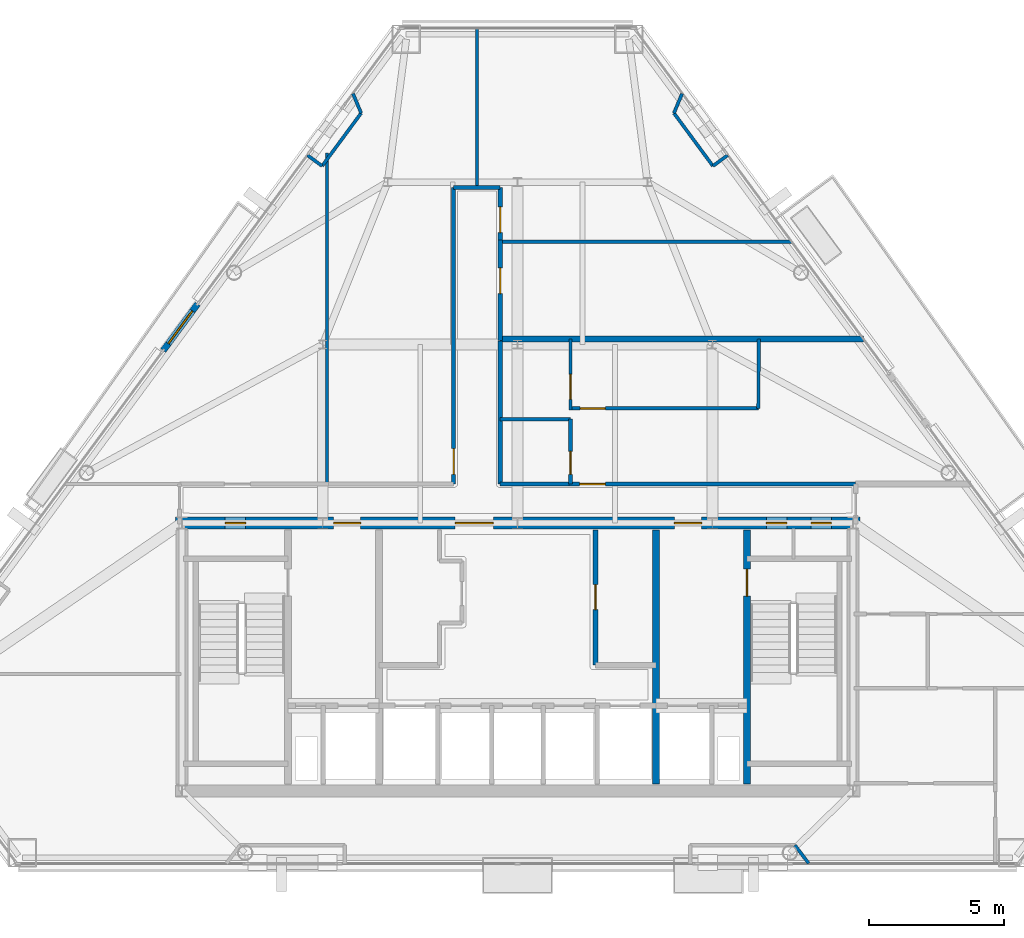
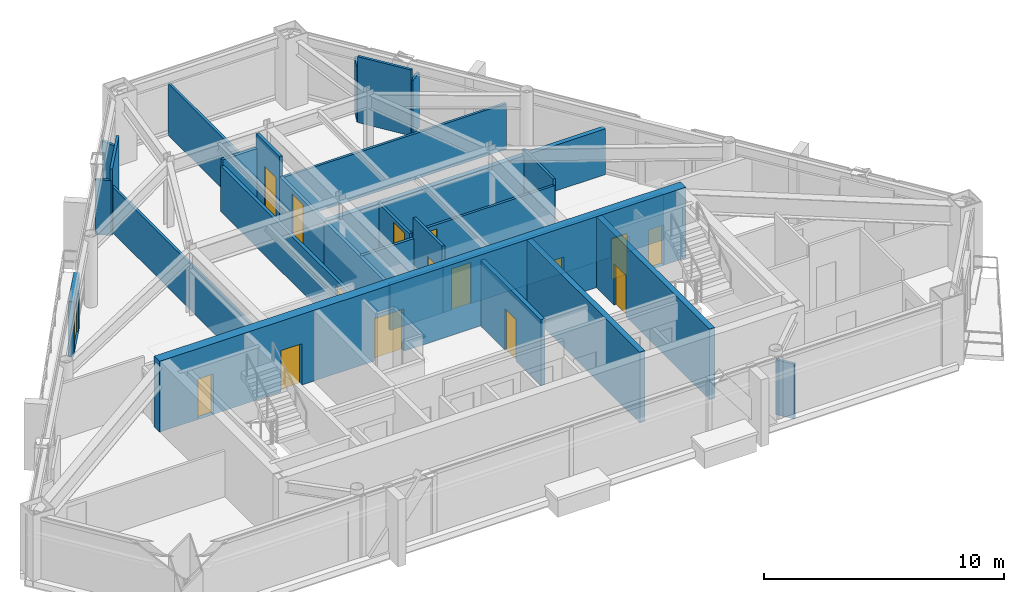
# One storey, part 8 of 11: 28 walls, 16 doors, 16 openings.
"""IFC4 building model written with IfcOpenShell, lengths in metres."""

from ifc_helpers import new_model, si_unit, direction, frame, frame_2d, origin, place, context, subcontext, project, spatial, rectangle, extrude, material, layer, layer_set, type_object, element, fill, save


model = new_model("IFC4")

# Units and contexts
model_context = context("Model", 3, precision=1e-05, world=origin(), true_north=direction((0.0, 1.0)))
body_context = subcontext(model_context, "Body", "Model", "MODEL_VIEW")
ifc_project = project(units=[si_unit("LENGTHUNIT", "METRE"), si_unit("AREAUNIT", "SQUARE_METRE"), si_unit("VOLUMEUNIT", "CUBIC_METRE"), si_unit("PLANEANGLEUNIT", "RADIAN"), si_unit("MASSUNIT", "GRAM", prefix="KILO")], contexts=[model_context])

# Site, building, storey
site_placement = place(None, origin())
site = spatial("IfcSite", under=ifc_project, at=site_placement, CompositionType="ELEMENT")
building_placement = place(site_placement, origin())
building = spatial("IfcBuilding", under=site, at=building_placement, Name="Talgorran Terracotta Tower", CompositionType="ELEMENT")
storey_placement = place(building_placement, frame((0.0, 0.0, 178.5)))
storey = spatial("IfcBuildingStorey", under=building, at=storey_placement, Name="L46", CompositionType="ELEMENT", Elevation=178.5)

# Wall, opening, door
ifc_material_1 = material(Name="Concrete C40/50", Category="concrete")
ifc_layer_1 = layer(ifc_material_1, 0.239990234375, Name="WT_BALCONY_SPAND")
ifc_layer_set_1 = layer_set([ifc_layer_1], Name="Concrete C40/50")
wall_type_1 = type_object("IfcWallType", Name="WT_BALCONY_SPAND", PredefinedType="STANDARD", material=ifc_layer_set_1)
wall_1_placement = place(storey_placement, frame((-11.826416015625, 3.898681640625, -0.014892578125), z_axis=(0.0, 0.0, 1.0), x_axis=(-0.593537527179, -0.804806314482, 0.0)))
wall_1 = element("IfcWall", 1, at=wall_1_placement, inside=storey, type_object=wall_type_1, Name="WL-L46-BALP-BAL-NW", PredefinedType="STANDARD", context=body_context, shape_type="SweptSolid", body=[
    extrude(rectangle(XDim=2.14013671875, YDim=0.239990234375, at=frame_2d((1.070068359375, 0.0))), origin(), (0.0, 0.0, 1.0), 2.806884765625),
])
opening_1_placement = place(wall_1_placement, frame((0.320068359375, 0.0, 0.014892578125)))
opening_1 = element("IfcOpeningElement", 2, at=opening_1_placement, cuts=wall_1, Name="Opening D-BAL-L46-2", PredefinedType="OPENING", context=body_context, shape_type="SweptSolid", body=[
    extrude(rectangle(XDim=1.506, YDim=2.203951171875, at=frame_2d((0.75, 1.10205078125))), frame((0.0, 0.1298828125, 0.0), z_axis=(0.0, -1.0, 0.0), x_axis=(1.0, 0.0, 0.0)), (0.0, 0.0, 1.0), 0.260009765625),
])
ifc_material_2 = material(Name="Thermally Broken Aluminium", Category="aluminium")
door_type_1 = type_object("IfcDoorType", Name="DT_BALC_1500", OperationType="SLIDING_TO_RIGHT", PredefinedType="DOOR", material=ifc_material_2)
door_1_placement = place(opening_1_placement, origin())
door_1 = element("IfcDoor", 3, at=door_1_placement, inside=storey, type_object=door_type_1, Name="DR-L46-BAL-BAL-NW", OperationType="SLIDING_TO_RIGHT", OverallHeight=2.199951171875, OverallWidth=1.5, PredefinedType="DOOR", context=body_context, shape_type="SweptSolid", body=[
    extrude(rectangle(XDim=1.5, YDim=2.199951171875, at=frame_2d((0.75, 1.10009765625))), frame((0.0, 0.02490234375, 0.0), z_axis=(0.0, -1.0, 0.0), x_axis=(1.0, 0.0, 0.0)), (0.0, 0.0, 1.0), 0.050048828125),
])
fill(opening_1, door_1)

ifc_material_3 = material(Name="Concrete C50/60", Category="concrete")
ifc_layer_2 = layer(ifc_material_3, 0.199951171875, Name="WT_CORE_200")
ifc_layer_set_2 = layer_set([ifc_layer_2], Name="Concrete C50/60")
wall_type_2 = type_object("IfcWallType", Name="WT_CORE_200", PredefinedType="SOLIDWALL", material=ifc_layer_set_2)
wall_2_placement = place(storey_placement, frame((2.8798828125, -9.449951171875, 0.0), z_axis=(0.0, 0.0, 1.0), x_axis=(0.0, 1.0, 0.0)))
wall_2 = element("IfcWall", 4, at=wall_2_placement, inside=storey, type_object=wall_type_2, Name="WL-L46-CW-V-E3", PredefinedType="SOLIDWALL", context=body_context, shape_type="SweptSolid", body=[
    extrude(rectangle(XDim=5.0, YDim=0.199951171875, at=frame_2d((2.5, 0.0))), origin(), (0.0, 0.0, 1.0), 3.35009765625),
])
opening_2_placement = place(wall_2_placement, frame((2.050048828125, 0.0, 0.0)))
opening_2 = element("IfcOpeningElement", 5, at=opening_2_placement, cuts=wall_2, Name="Opening DR-FRPLM-A", PredefinedType="OPENING", context=body_context, shape_type="SweptSolid", body=[
    extrude(rectangle(XDim=0.925921875, YDim=2.10409765625, at=frame_2d((0.4599609375, 1.052001953125))), frame((0.0, 0.10986328125, 0.0), z_axis=(0.0, -1.0, 0.0), x_axis=(1.0, 0.0, 0.0)), (0.0, 0.0, 1.0), 0.219970703125),
])
ifc_material_4 = material(Name="Solid-Core Painted Timber", Category="wood")
door_type_2 = type_object("IfcDoorType", Name="DT_INT_920", OperationType="NOTDEFINED", PredefinedType="DOOR", material=ifc_material_4)
door_2_placement = place(opening_2_placement, origin())
door_2 = element("IfcDoor", 6, at=door_2_placement, inside=storey, type_object=door_type_2, Name="DR-FRPLM-A", OperationType="SINGLE_SWING_RIGHT", OverallHeight=2.10009765625, OverallWidth=0.919921875, PredefinedType="DOOR", context=body_context, shape_type="SweptSolid", body=[
    extrude(rectangle(XDim=0.919921875, YDim=2.10009765625, at=frame_2d((0.4599609375, 1.050048828125))), frame((0.0, 0.02490234375, 0.0), z_axis=(0.0, -1.0, 0.0), x_axis=(1.0, 0.0, 0.0)), (0.0, 0.0, 1.0), 0.050048828125),
])
fill(opening_2, door_2)

ifc_layer_3 = layer(ifc_material_3, 0.25, Name="WT_CORE_250")
ifc_layer_set_3 = layer_set([ifc_layer_3], Name="Concrete C50/60")
wall_type_3 = type_object("IfcWallType", Name="WT_CORE_250", PredefinedType="SHEAR", material=ifc_layer_set_3)
wall_3_placement = place(storey_placement, frame((8.47998046875, -13.85009765625, 0.0), z_axis=(0.0, 0.0, 1.0), x_axis=(0.0, 1.0, 0.0)))
wall_3 = element("IfcWall", 7, at=wall_3_placement, inside=storey, type_object=wall_type_3, Name="WL-L46-CW-V-E1", PredefinedType="SHEAR", context=body_context, shape_type="SweptSolid", body=[
    extrude(rectangle(XDim=9.400146484375, YDim=0.25, at=frame_2d((4.7001953125, 0.0))), origin(), (0.0, 0.0, 1.0), 3.60009765625),
])
opening_3_placement = place(wall_3_placement, frame((6.949951171875, 0.0, 0.0)))
opening_3 = element("IfcOpeningElement", 8, at=opening_3_placement, cuts=wall_3, Name="Opening DR-ST02", PredefinedType="OPENING", context=body_context, shape_type="SweptSolid", body=[
    extrude(rectangle(XDim=1.006, YDim=2.10409765625, at=frame_2d((0.5, 1.052001953125))), frame((0.0, 0.135009765625, 0.0), z_axis=(0.0, -1.0, 0.0), x_axis=(1.0, 0.0, 0.0)), (0.0, 0.0, 1.0), 0.27001953125),
])
ifc_material_5 = material(Name="Fire-Rated Pressed Steel", Category="steel")
door_type_3 = type_object("IfcDoorType", Name="DT_FIRE_1000", OperationType="NOTDEFINED", PredefinedType="DOOR", material=ifc_material_5)
door_3_placement = place(opening_3_placement, origin())
door_3 = element("IfcDoor", 9, at=door_3_placement, inside=storey, type_object=door_type_3, Name="DR-ST02", OperationType="SINGLE_SWING_RIGHT", OverallHeight=2.10009765625, OverallWidth=1.0, PredefinedType="DOOR", context=body_context, shape_type="SweptSolid", body=[
    extrude(rectangle(XDim=1.0, YDim=2.10009765625, at=frame_2d((0.5, 1.050048828125))), frame((0.0, 0.02490234375, 0.0), z_axis=(0.0, -1.0, 0.0), x_axis=(1.0, 0.0, 0.0)), (0.0, 0.0, 1.0), 0.050048828125),
])
fill(opening_3, door_3)

# Wall
wall_4_placement = place(storey_placement, frame((5.1201171875, -13.85009765625, 0.0), z_axis=(0.0, 0.0, 1.0), x_axis=(0.0, 1.0, 0.0)))
element("IfcWall", 10, at=wall_4_placement, inside=storey, type_object=wall_type_3, Name="WL-L46-CW-V-E2", PredefinedType="SHEAR", context=body_context, shape_type="SweptSolid", body=[
    extrude(rectangle(XDim=9.400146484375, YDim=0.25, at=frame_2d((4.7001953125, 0.0))), origin(), (0.0, 0.0, 1.0), 3.60009765625),
])

# Wall, openings, doors
ifc_material_6 = material(Name="Concrete C65/80", Category="concrete")
ifc_layer_4 = layer(ifc_material_6, 0.449951171875, Name="WT_CORE_EXT")
ifc_layer_set_4 = layer_set([ifc_layer_4], Name="Concrete C65/80")
wall_type_4 = type_object("IfcWallType", Name="WT_CORE_EXT", PredefinedType="SHEAR", material=ifc_layer_set_4)
wall_5_placement = place(storey_placement, frame((-12.64990234375, -4.199951171875, 0.0), z_axis=(0.0, 0.0, 1.0), x_axis=(1.0, 0.0, 0.0)))
wall_5 = element("IfcWall", 11, at=wall_5_placement, inside=storey, type_object=wall_type_4, Name="WL-L46-CW-OUT-N", PredefinedType="SHEAR", context=body_context, shape_type="SweptSolid", body=[
    extrude(rectangle(XDim=25.2998046875, YDim=0.449951171875, at=frame_2d((12.64990234375, 0.0))), origin(), (0.0, 0.0, 1.0), 3.60009765625),
])
opening_4_placement = place(wall_5_placement, frame((1.85009765625, 0.0, 0.0)))
opening_4 = element("IfcOpeningElement", 12, at=opening_4_placement, cuts=wall_5, Name="Opening DR-CSN1", PredefinedType="OPENING", context=body_context, shape_type="SweptSolid", body=[
    extrude(rectangle(XDim=0.756, YDim=2.054048828125, at=frame_2d((0.375, 1.027099609375))), frame((0.0, 0.23486328125, 0.0), z_axis=(0.0, -1.0, 0.0), x_axis=(1.0, 0.0, 0.0)), (0.0, 0.0, 1.0), 0.469970703125),
])
opening_5_placement = place(wall_5_placement, frame((21.85009765625, 0.0, 0.0)))
opening_5 = element("IfcOpeningElement", 13, at=opening_5_placement, cuts=wall_5, Name="Opening DR-CSN2", PredefinedType="OPENING", context=body_context, shape_type="SweptSolid", body=[
    extrude(rectangle(XDim=0.756, YDim=2.054048828125, at=frame_2d((0.375, 1.027099609375))), frame((0.0, 0.23486328125, 0.0), z_axis=(0.0, -1.0, 0.0), x_axis=(1.0, 0.0, 0.0)), (0.0, 0.0, 1.0), 0.469970703125),
])
opening_6_placement = place(wall_5_placement, frame((23.5, 0.0, 0.0)))
opening_6 = element("IfcOpeningElement", 14, at=opening_6_placement, cuts=wall_5, Name="Opening DR-CSN3", PredefinedType="OPENING", context=body_context, shape_type="SweptSolid", body=[
    extrude(rectangle(XDim=0.756, YDim=2.054048828125, at=frame_2d((0.375, 1.027099609375))), frame((0.0, 0.23486328125, 0.0), z_axis=(0.0, -1.0, 0.0), x_axis=(1.0, 0.0, 0.0)), (0.0, 0.0, 1.0), 0.469970703125),
])
opening_7_placement = place(wall_5_placement, frame((5.85009765625, 0.0, 0.0)))
opening_7 = element("IfcOpeningElement", 15, at=opening_7_placement, cuts=wall_5, Name="Opening DR-FFLW-N", PredefinedType="OPENING", context=body_context, shape_type="SweptSolid", body=[
    extrude(rectangle(XDim=1.006, YDim=2.10409765625, at=frame_2d((0.5, 1.052001953125))), frame((0.0, 0.23486328125, 0.0), z_axis=(0.0, -1.0, 0.0), x_axis=(1.0, 0.0, 0.0)), (0.0, 0.0, 1.0), 0.469970703125),
])
opening_8_placement = place(wall_5_placement, frame((10.35009765625, 0.0, 0.0)))
opening_8 = element("IfcOpeningElement", 16, at=opening_8_placement, cuts=wall_5, Name="Opening DR-PLL-N", PredefinedType="OPENING", context=body_context, shape_type="SweptSolid", body=[
    extrude(rectangle(XDim=1.40590234375, YDim=2.15390234375, at=frame_2d((0.699951171875, 1.076904296875))), frame((0.0, 0.23486328125, 0.0), z_axis=(0.0, -1.0, 0.0), x_axis=(1.0, 0.0, 0.0)), (0.0, 0.0, 1.0), 0.469970703125),
])
opening_9_placement = place(wall_5_placement, frame((18.449951171875, 0.0, 0.0)))
opening_9 = element("IfcOpeningElement", 17, at=opening_9_placement, cuts=wall_5, Name="Opening DR-FFLE-N", PredefinedType="OPENING", context=body_context, shape_type="SweptSolid", body=[
    extrude(rectangle(XDim=1.006, YDim=2.10409765625, at=frame_2d((0.5, 1.052001953125))), frame((0.0, 0.23486328125, 0.0), z_axis=(0.0, -1.0, 0.0), x_axis=(1.0, 0.0, 0.0)), (0.0, 0.0, 1.0), 0.469970703125),
])
ifc_material_7 = material(Name="Acoustic Glazed Timber", Category="wood")
door_type_4 = type_object("IfcDoorType", Name="DT_DOUBLE_1400", OperationType="DOUBLE_DOOR_SINGLE_SWING", PredefinedType="DOOR", material=ifc_material_7)
door_4_placement = place(opening_8_placement, origin())
door_4 = element("IfcDoor", 18, at=door_4_placement, inside=storey, type_object=door_type_4, Name="DR-PLL-N", OperationType="DOUBLE_DOOR_SINGLE_SWING", OverallHeight=2.14990234375, OverallWidth=1.39990234375, PredefinedType="DOOR", context=body_context, shape_type="SweptSolid", body=[
    extrude(rectangle(XDim=1.39990234375, YDim=2.14990234375, at=frame_2d((0.699951171875, 1.074951171875))), frame((0.0, 0.02490234375, 0.0), z_axis=(0.0, -1.0, 0.0), x_axis=(1.0, 0.0, 0.0)), (0.0, 0.0, 1.0), 0.050048828125),
])
fill(opening_8, door_4)
door_5_placement = place(opening_7_placement, origin())
door_5 = element("IfcDoor", 19, at=door_5_placement, inside=storey, type_object=door_type_3, Name="DR-FFLW-N", OperationType="SINGLE_SWING_LEFT", OverallHeight=2.10009765625, OverallWidth=1.0, PredefinedType="DOOR", context=body_context, shape_type="SweptSolid", body=[
    extrude(rectangle(XDim=1.0, YDim=2.10009765625, at=frame_2d((0.5, 1.050048828125))), frame((0.0, 0.02490234375, 0.0), z_axis=(0.0, -1.0, 0.0), x_axis=(1.0, 0.0, 0.0)), (0.0, 0.0, 1.0), 0.050048828125),
])
fill(opening_7, door_5)
door_6_placement = place(opening_9_placement, origin())
door_6 = element("IfcDoor", 20, at=door_6_placement, inside=storey, type_object=door_type_3, Name="DR-FFLE-N", OperationType="SINGLE_SWING_RIGHT", OverallHeight=2.10009765625, OverallWidth=1.0, PredefinedType="DOOR", context=body_context, shape_type="SweptSolid", body=[
    extrude(rectangle(XDim=1.0, YDim=2.10009765625, at=frame_2d((0.5, 1.050048828125))), frame((0.0, 0.02490234375, 0.0), z_axis=(0.0, -1.0, 0.0), x_axis=(1.0, 0.0, 0.0)), (0.0, 0.0, 1.0), 0.050048828125),
])
fill(opening_9, door_6)
door_type_5 = type_object("IfcDoorType", Name="DT_RISER_750", OperationType="NOTDEFINED", PredefinedType="DOOR", material=ifc_material_5)
door_7_placement = place(opening_4_placement, origin())
door_7 = element("IfcDoor", 21, at=door_7_placement, inside=storey, type_object=door_type_5, Name="DR-CSN1", OperationType="SINGLE_SWING_LEFT", OverallHeight=2.050048828125, OverallWidth=0.75, PredefinedType="DOOR", context=body_context, shape_type="SweptSolid", body=[
    extrude(rectangle(XDim=0.75, YDim=2.050048828125, at=frame_2d((0.375, 1.02490234375))), frame((0.0, 0.02490234375, 0.0), z_axis=(0.0, -1.0, 0.0), x_axis=(1.0, 0.0, 0.0)), (0.0, 0.0, 1.0), 0.050048828125),
])
fill(opening_4, door_7)
door_8_placement = place(opening_5_placement, origin())
door_8 = element("IfcDoor", 22, at=door_8_placement, inside=storey, type_object=door_type_5, Name="DR-CSN2", OperationType="SINGLE_SWING_LEFT", OverallHeight=2.050048828125, OverallWidth=0.75, PredefinedType="DOOR", context=body_context, shape_type="SweptSolid", body=[
    extrude(rectangle(XDim=0.75, YDim=2.050048828125, at=frame_2d((0.375, 1.02490234375))), frame((0.0, 0.02490234375, 0.0), z_axis=(0.0, -1.0, 0.0), x_axis=(1.0, 0.0, 0.0)), (0.0, 0.0, 1.0), 0.050048828125),
])
fill(opening_5, door_8)
door_9_placement = place(opening_6_placement, origin())
door_9 = element("IfcDoor", 23, at=door_9_placement, inside=storey, type_object=door_type_5, Name="DR-CSN3", OperationType="SINGLE_SWING_RIGHT", OverallHeight=2.050048828125, OverallWidth=0.75, PredefinedType="DOOR", context=body_context, shape_type="SweptSolid", body=[
    extrude(rectangle(XDim=0.75, YDim=2.050048828125, at=frame_2d((0.375, 1.02490234375))), frame((0.0, 0.02490234375, 0.0), z_axis=(0.0, -1.0, 0.0), x_axis=(1.0, 0.0, 0.0)), (0.0, 0.0, 1.0), 0.050048828125),
])
fill(opening_6, door_9)

# Wall, opening, door
ifc_material_8 = material(Name="Fire-Rated Steel Stud Plasterboard", Category="steel")
ifc_layer_5 = layer(ifc_material_8, 0.14990234375, Name="WT_FIRE_150")
ifc_layer_set_5 = layer_set([ifc_layer_5], Name="Fire-Rated Steel Stud Plasterboard")
wall_type_5 = type_object("IfcWallType", Name="WT_FIRE_150", PredefinedType="PARTITIONING", material=ifc_layer_set_5)
wall_6_placement = place(storey_placement, frame((-2.360107421875, -2.760009765625, 0.0), z_axis=(0.0, 0.0, 1.0), x_axis=(0.0, 1.0, 0.0)))
wall_6 = element("IfcWall", 24, at=wall_6_placement, inside=storey, type_object=wall_type_5, Name="WL-L46-W-L46-R11", PredefinedType="PARTITIONING", context=body_context, shape_type="SweptSolid", body=[
    extrude(rectangle(XDim=10.9599609375, YDim=0.14990234375, at=frame_2d((5.47998046875, 0.0))), origin(), (0.0, 0.0, 1.0), 2.324951171875),
])
opening_10_placement = place(wall_6_placement, frame((0.359375, 0.0, 0.0)))
opening_10 = element("IfcOpeningElement", 25, at=opening_10_placement, cuts=wall_6, Name="Opening DR-L46-R13", PredefinedType="OPENING", context=body_context, shape_type="SweptSolid", body=[
    extrude(rectangle(XDim=0.955951171875, YDim=2.10409765625, at=frame_2d((0.47509765625, 1.052001953125))), frame((0.0, 0.0849609375, 0.0), z_axis=(0.0, -1.0, 0.0), x_axis=(1.0, 0.0, 0.0)), (0.0, 0.0, 1.0), 0.169921875),
])
ifc_material_9 = material(Name="Fire-Rated Timber Core", Category="wood")
door_type_6 = type_object("IfcDoorType", Name="DT_FIRE_950", OperationType="NOTDEFINED", PredefinedType="DOOR", material=ifc_material_9)
door_10_placement = place(opening_10_placement, origin())
door_10 = element("IfcDoor", 26, at=door_10_placement, inside=storey, type_object=door_type_6, Name="DR-L46-R13", OperationType="SINGLE_SWING_LEFT", OverallHeight=2.10009765625, OverallWidth=0.949951171875, PredefinedType="DOOR", context=body_context, shape_type="SweptSolid", body=[
    extrude(rectangle(XDim=0.949951171875, YDim=2.10009765625, at=frame_2d((0.47509765625, 1.050048828125))), frame((0.0, 0.02490234375, 0.0), z_axis=(0.0, -1.0, 0.0), x_axis=(1.0, 0.0, 0.0)), (0.0, 0.0, 1.0), 0.050048828125),
])
fill(opening_10, door_10)

wall_7_placement = place(storey_placement, frame((1.89990234375, -2.760009765625, 0.0), z_axis=(0.0, 0.0, 1.0), x_axis=(1.0, 0.0, 0.0)))
wall_7 = element("IfcWall", 27, at=wall_7_placement, inside=storey, type_object=wall_type_5, Name="WL-L46-W-L46-R05", PredefinedType="PARTITIONING", context=body_context, shape_type="SweptSolid", body=[
    extrude(rectangle(XDim=10.60009765625, YDim=0.14990234375, at=frame_2d((5.300048828125, 0.0))), origin(), (0.0, 0.0, 1.0), 2.324951171875),
])
opening_11_placement = place(wall_7_placement, frame((0.399169921875, 0.0, 0.0)))
opening_11 = element("IfcOpeningElement", 28, at=opening_11_placement, cuts=wall_7, Name="Opening DR-L46-R08", PredefinedType="OPENING", context=body_context, shape_type="SweptSolid", body=[
    extrude(rectangle(XDim=0.955951171875, YDim=2.10409765625, at=frame_2d((0.47509765625, 1.052001953125))), frame((0.0, 0.0849609375, 0.0), z_axis=(0.0, -1.0, 0.0), x_axis=(1.0, 0.0, 0.0)), (0.0, 0.0, 1.0), 0.169921875),
])
door_11_placement = place(opening_11_placement, origin())
door_11 = element("IfcDoor", 29, at=door_11_placement, inside=storey, type_object=door_type_6, Name="DR-L46-R08", OperationType="SINGLE_SWING_RIGHT", OverallHeight=2.10009765625, OverallWidth=0.949951171875, PredefinedType="DOOR", context=body_context, shape_type="SweptSolid", body=[
    extrude(rectangle(XDim=0.949951171875, YDim=2.10009765625, at=frame_2d((0.47509765625, 1.050048828125))), frame((0.0, 0.02490234375, 0.0), z_axis=(0.0, -1.0, 0.0), x_axis=(1.0, 0.0, 0.0)), (0.0, 0.0, 1.0), 0.050048828125),
])
fill(opening_11, door_11)

wall_8_placement = place(storey_placement, frame((-0.639892578125, 2.5400390625, 0.0), z_axis=(0.0, 0.0, 1.0), x_axis=(0.0, 1.0, 0.0)))
wall_8 = element("IfcWall", 30, at=wall_8_placement, inside=storey, type_object=wall_type_5, Name="WL-L46-W-L46-R06", PredefinedType="PARTITIONING", context=body_context, shape_type="SweptSolid", body=[
    extrude(rectangle(XDim=3.719970703125, YDim=0.14990234375, at=frame_2d((1.85986328125, 0.0))), origin(), (0.0, 0.0, 1.0), 2.324951171875),
])
opening_12_placement = place(wall_8_placement, frame((1.74072265625, 0.0, 0.0)))
opening_12 = element("IfcOpeningElement", 31, at=opening_12_placement, cuts=wall_8, Name="Opening DR-L46-R10", PredefinedType="OPENING", context=body_context, shape_type="SweptSolid", body=[
    extrude(rectangle(XDim=0.955951171875, YDim=2.10409765625, at=frame_2d((0.47509765625, 1.052001953125))), frame((0.0, 0.0849609375, 0.0), z_axis=(0.0, -1.0, 0.0), x_axis=(1.0, 0.0, 0.0)), (0.0, 0.0, 1.0), 0.169921875),
])
door_12_placement = place(opening_12_placement, origin())
door_12 = element("IfcDoor", 32, at=door_12_placement, inside=storey, type_object=door_type_6, Name="DR-L46-R10", OperationType="SINGLE_SWING_RIGHT", OverallHeight=2.10009765625, OverallWidth=0.949951171875, PredefinedType="DOOR", context=body_context, shape_type="SweptSolid", body=[
    extrude(rectangle(XDim=0.949951171875, YDim=2.10009765625, at=frame_2d((0.47509765625, 1.050048828125))), frame((0.0, 0.02490234375, 0.0), z_axis=(0.0, -1.0, 0.0), x_axis=(1.0, 0.0, 0.0)), (0.0, 0.0, 1.0), 0.050048828125),
])
fill(opening_12, door_12)

# Walls
wall_9_placement = place(storey_placement, frame((-0.639892578125, -2.760009765625, 0.0), z_axis=(0.0, 0.0, 1.0), x_axis=(0.0, 1.0, 0.0)))
element("IfcWall", 33, at=wall_9_placement, inside=storey, type_object=wall_type_5, Name="WL-L46-W-L46-R04", PredefinedType="PARTITIONING", context=body_context, shape_type="SweptSolid", body=[
    extrude(rectangle(XDim=5.298095703125, YDim=0.14990234375, at=frame_2d((2.64892578125, 0.0))), origin(), (0.0, 0.0, 1.0), 2.324951171875),
])
wall_10_placement = place(storey_placement, frame((-0.639892578125, -2.760009765625, 0.0), z_axis=(0.0, 0.0, 1.0), x_axis=(1.0, 0.0, 0.0)))
element("IfcWall", 34, at=wall_10_placement, inside=storey, type_object=wall_type_5, Name="WL-L46-W-L46-R03", PredefinedType="PARTITIONING", context=body_context, shape_type="SweptSolid", body=[
    extrude(rectangle(XDim=2.537841796875, YDim=0.14990234375, at=frame_2d((1.26904296875, 0.0))), origin(), (0.0, 0.0, 1.0), 2.324951171875),
])

# Wall, opening, door
wall_11_placement = place(storey_placement, frame((-0.639892578125, 6.261962890625, 0.0), z_axis=(0.0, 0.0, 1.0), x_axis=(0.0, 1.0, 0.0)))
wall_11 = element("IfcWall", 35, at=wall_11_placement, inside=storey, type_object=wall_type_5, Name="WL-L46-W-L46-R08", PredefinedType="PARTITIONING", context=body_context, shape_type="SweptSolid", body=[
    extrude(rectangle(XDim=1.93798828125, YDim=0.14990234375, at=frame_2d((0.968994140625, 0.0))), origin(), (0.0, 0.0, 1.0), 3.35009765625),
])
opening_13_placement = place(wall_11_placement, frame((0.27490234375, 0.0, 0.0)))
opening_13 = element("IfcOpeningElement", 36, at=opening_13_placement, cuts=wall_11, Name="Opening DR-L46-R11", PredefinedType="OPENING", context=body_context, shape_type="SweptSolid", body=[
    extrude(rectangle(XDim=0.955951171875, YDim=2.10409765625, at=frame_2d((0.47509765625, 1.052001953125))), frame((0.0, 0.0849609375, 0.0), z_axis=(0.0, -1.0, 0.0), x_axis=(1.0, 0.0, 0.0)), (0.0, 0.0, 1.0), 0.169921875),
])
door_13_placement = place(opening_13_placement, origin())
door_13 = element("IfcDoor", 37, at=door_13_placement, inside=storey, type_object=door_type_6, Name="DR-L46-R11", OperationType="SINGLE_SWING_LEFT", OverallHeight=2.10009765625, OverallWidth=0.949951171875, PredefinedType="DOOR", context=body_context, shape_type="SweptSolid", body=[
    extrude(rectangle(XDim=0.949951171875, YDim=2.10009765625, at=frame_2d((0.47509765625, 1.050048828125))), frame((0.0, 0.02490234375, 0.0), z_axis=(0.0, -1.0, 0.0), x_axis=(1.0, 0.0, 0.0)), (0.0, 0.0, 1.0), 0.050048828125),
])
fill(opening_13, door_13)

# Walls
wall_12_placement = place(storey_placement, frame((-2.360107421875, 8.199951171875, 0.0), z_axis=(0.0, 0.0, 1.0), x_axis=(1.0, 0.0, 0.0)))
element("IfcWall", 38, at=wall_12_placement, inside=storey, type_object=wall_type_5, Name="WL-L46-W-L46-R07", PredefinedType="PARTITIONING", context=body_context, shape_type="SweptSolid", body=[
    extrude(rectangle(XDim=1.72021484375, YDim=0.14990234375, at=frame_2d((0.860107421875, 0.0))), origin(), (0.0, 0.0, 1.0), 2.625),
])
ifc_material_10 = material(Name="Acoustic Masonry and Plasterboard", Category="masonry")
ifc_layer_6 = layer(ifc_material_10, 0.219970703125, Name="WT_PARTY_220")
ifc_layer_set_6 = layer_set([ifc_layer_6], Name="Acoustic Masonry and Plasterboard")
wall_type_6 = type_object("IfcWallType", Name="WT_PARTY_220", PredefinedType="PARTITIONING", material=ifc_layer_set_6)
wall_13_placement = place(storey_placement, frame((-0.639892578125, 2.60009765625, 0.0), z_axis=(0.0, 0.0, 1.0), x_axis=(1.0, 0.0, 0.0)))
element("IfcWall", 39, at=wall_13_placement, inside=storey, type_object=wall_type_6, Name="WL-L46-W-L46-R32", PredefinedType="PARTITIONING", context=body_context, shape_type="SweptSolid", body=[
    extrude(rectangle(XDim=13.424072265625, YDim=0.219970703125, at=frame_2d((6.7119140625, 0.0))), origin(), (0.0, 0.0, 1.0), 2.324951171875),
])
ifc_material_11 = material(Name="Insulated Steel Stud Plasterboard", Category="steel")
ifc_layer_7 = layer(ifc_material_11, 0.1201171875, Name="WT_PART_120")
ifc_layer_set_7 = layer_set([ifc_layer_7], Name="Insulated Steel Stud Plasterboard")
wall_type_7 = type_object("IfcWallType", Name="WT_PART_120", PredefinedType="PARTITIONING", material=ifc_layer_set_7)
wall_14_placement = place(storey_placement, frame((-7.0400390625, -2.760009765625, 0.0), z_axis=(0.0, 0.0, 1.0), x_axis=(0.0, 1.0, 0.0)))
element("IfcWall", 40, at=wall_14_placement, inside=storey, type_object=wall_type_7, Name="WL-L46-W-L46-R35", PredefinedType="PARTITIONING", context=body_context, shape_type="SweptSolid", body=[
    extrude(rectangle(XDim=12.239990234375, YDim=0.1201171875, at=frame_2d((6.1201171875, 0.0))), origin(), (0.0, 0.0, 1.0), 2.324951171875),
])
wall_15_placement = place(storey_placement, frame((-0.639892578125, 6.199951171875, 0.0), z_axis=(0.0, 0.0, 1.0), x_axis=(1.0, 0.0, 0.0)))
element("IfcWall", 41, at=wall_15_placement, inside=storey, type_object=wall_type_7, Name="WL-L46-W-L46-R33", PredefinedType="PARTITIONING", context=body_context, shape_type="SweptSolid", body=[
    extrude(rectangle(XDim=10.769287109375, YDim=0.1201171875, at=frame_2d((5.384765625, 0.0))), origin(), (0.0, 0.0, 1.0), 2.324951171875),
])

# Wall, opening, door
wall_16_placement = place(storey_placement, frame((1.9599609375, 0.0400390625, 0.0), z_axis=(0.0, 0.0, 1.0), x_axis=(1.0, 0.0, 0.0)))
wall_16 = element("IfcWall", 42, at=wall_16_placement, inside=storey, type_object=wall_type_7, Name="WL-L46-W-L46-R29", PredefinedType="PARTITIONING", context=body_context, shape_type="SweptSolid", body=[
    extrude(rectangle(XDim=6.93994140625, YDim=0.1201171875, at=frame_2d((3.469970703125, 0.0))), origin(), (0.0, 0.0, 1.0), 2.324951171875),
])
opening_14_placement = place(wall_16_placement, frame((0.359130859375, 0.0, 0.0)))
opening_14 = element("IfcOpeningElement", 43, at=opening_14_placement, cuts=wall_16, Name="Opening DR-L46-R09", PredefinedType="OPENING", context=body_context, shape_type="SweptSolid", body=[
    extrude(rectangle(XDim=0.925921875, YDim=2.10409765625, at=frame_2d((0.4599609375, 1.052001953125))), frame((0.0, 0.070068359375, 0.0), z_axis=(0.0, -1.0, 0.0), x_axis=(1.0, 0.0, 0.0)), (0.0, 0.0, 1.0), 0.14013671875),
])
door_14_placement = place(opening_14_placement, origin())
door_14 = element("IfcDoor", 44, at=door_14_placement, inside=storey, type_object=door_type_2, Name="DR-L46-R09", OperationType="SINGLE_SWING_LEFT", OverallHeight=2.10009765625, OverallWidth=0.919921875, PredefinedType="DOOR", context=body_context, shape_type="SweptSolid", body=[
    extrude(rectangle(XDim=0.919921875, YDim=2.10009765625, at=frame_2d((0.4599609375, 1.050048828125))), frame((0.0, 0.02490234375, 0.0), z_axis=(0.0, -1.0, 0.0), x_axis=(1.0, 0.0, 0.0)), (0.0, 0.0, 1.0), 0.050048828125),
])
fill(opening_14, door_14)

# Wall
wall_17_placement = place(storey_placement, frame((-1.5, 8.199951171875, 0.0), z_axis=(0.0, 0.0, 1.0), x_axis=(0.0, 1.0, 0.0)))
element("IfcWall", 45, at=wall_17_placement, inside=storey, type_object=wall_type_7, Name="WL-L46-W-L46-R34", PredefinedType="PARTITIONING", context=body_context, shape_type="SweptSolid", body=[
    extrude(rectangle(XDim=5.883544921875, YDim=0.1201171875, at=frame_2d((2.94189453125, 0.0))), origin(), (0.0, 0.0, 1.0), 2.625),
])

# Wall, opening, door
wall_18_placement = place(storey_placement, frame((1.9599609375, -0.02001953125, 0.0), z_axis=(0.0, 0.0, 1.0), x_axis=(0.0, 1.0, 0.0)))
wall_18 = element("IfcWall", 46, at=wall_18_placement, inside=storey, type_object=wall_type_7, Name="WL-L46-W-L46-R27", PredefinedType="PARTITIONING", context=body_context, shape_type="SweptSolid", body=[
    extrude(rectangle(XDim=2.6201171875, YDim=0.1201171875, at=frame_2d((1.31005859375, 0.0))), origin(), (0.0, 0.0, 1.0), 2.324951171875),
])
opening_15_placement = place(wall_18_placement, frame((0.396240234375, 0.0, 0.0)))
opening_15 = element("IfcOpeningElement", 47, at=opening_15_placement, cuts=wall_18, Name="Opening DR-L46-R07", PredefinedType="OPENING", context=body_context, shape_type="SweptSolid", body=[
    extrude(rectangle(XDim=0.925921875, YDim=2.10409765625, at=frame_2d((0.4599609375, 1.052001953125))), frame((0.0, 0.070068359375, 0.0), z_axis=(0.0, -1.0, 0.0), x_axis=(1.0, 0.0, 0.0)), (0.0, 0.0, 1.0), 0.14013671875),
])
door_15_placement = place(opening_15_placement, origin())
door_15 = element("IfcDoor", 48, at=door_15_placement, inside=storey, type_object=door_type_2, Name="DR-L46-R07", OperationType="SINGLE_SWING_LEFT", OverallHeight=2.10009765625, OverallWidth=0.919921875, PredefinedType="DOOR", context=body_context, shape_type="SweptSolid", body=[
    extrude(rectangle(XDim=0.919921875, YDim=2.10009765625, at=frame_2d((0.4599609375, 1.050048828125))), frame((0.0, 0.02490234375, 0.0), z_axis=(0.0, -1.0, 0.0), x_axis=(1.0, 0.0, 0.0)), (0.0, 0.0, 1.0), 0.050048828125),
])
fill(opening_15, door_15)

# Walls
wall_19_placement = place(storey_placement, frame((8.89990234375, 0.0400390625, 0.0), z_axis=(0.0, 0.0, 1.0), x_axis=(0.00781971132, 0.99996942559, 0.0)))
element("IfcWall", 49, at=wall_19_placement, inside=storey, type_object=wall_type_7, Name="WL-L46-W-L46-R30", PredefinedType="PARTITIONING", context=body_context, shape_type="SweptSolid", body=[
    extrude(rectangle(XDim=2.56005859375, YDim=0.1201171875, at=frame_2d((1.280029296875, 0.0))), origin(), (0.0, 0.0, 1.0), 2.625),
])
for number, where, z_axis, x_axis, name in (
    (50, (-5.780517578125, 10.951904296875, 0.0), (0.0, 0.0, 1.0), (-0.593517740009, -0.804820906969, 0.0), "WL-L46-BW-L46-15"),
    (51, (7.22265625, 8.996337890625, 0.0), (0.0, 0.0, 1.0), (-0.593517740009, 0.804820906969, 0.0), "WL-L46-BW-L46-18"),
):
    element("IfcWall", number, at=place(storey_placement, frame(where, z_axis=z_axis, x_axis=x_axis)), inside=storey, type_object=wall_type_7, Name=name, PredefinedType="PARTITIONING", context=body_context, shape_type="SweptSolid", body=[
        extrude(rectangle(XDim=2.429931640625, YDim=0.1201171875, at=frame_2d((1.21484375, 0.0))), origin(), (0.0, 0.0, 1.0), 3.35009765625),
    ])
wall_20_placement = place(storey_placement, frame((10.2509765625, -16.105712890625, 0.0), z_axis=(0.0, 0.0, 1.0), x_axis=(0.604450021585, -0.796643063991, 0.0)))
element("IfcWall", 52, at=wall_20_placement, inside=storey, type_object=wall_type_7, Name="WL-L46-BW-L46-02", PredefinedType="PARTITIONING", context=body_context, shape_type="SweptSolid", body=[
    extrude(rectangle(XDim=0.8408203125, YDim=0.1201171875, at=frame_2d((0.42041015625, 0.0))), origin(), (0.0, 0.0, 1.0), 2.7919921875),
])
for number, where, z_axis, x_axis, name in (
    (53, (-6.081787109375, 11.672119140625, 0.0), (0.0, 0.0, 1.0), (0.38590292003, -0.922539395534, 0.0), "WL-L46-BW-L46-14"),
    (54, (5.780517578125, 10.951904296875, 0.0), (0.0, 0.0, 1.0), (0.38590292003, 0.922539395534, 0.0), "WL-L46-BW-L46-19"),
):
    element("IfcWall", number, at=place(storey_placement, frame(where, z_axis=z_axis, x_axis=x_axis)), inside=storey, type_object=wall_type_7, Name=name, PredefinedType="PARTITIONING", context=body_context, shape_type="SweptSolid", body=[
        extrude(rectangle(XDim=0.78076171875, YDim=0.1201171875, at=frame_2d((0.390380859375, 0.0))), origin(), (0.0, 0.0, 1.0), 2.7919921875),
    ])
for number, where, z_axis, x_axis, name in (
    (55, (-7.22265625, 8.996337890625, 0.0), (0.0, 0.0, 1.0), (-0.804698441933, 0.59368376898, 0.0), "WL-L46-BW-L46-16"),
    (56, (7.76171875, 9.39404296875, 0.0), (0.0, 0.0, 1.0), (-0.804698441933, -0.59368376898, 0.0), "WL-L46-BW-L46-17"),
):
    element("IfcWall", number, at=place(storey_placement, frame(where, z_axis=z_axis, x_axis=x_axis)), inside=storey, type_object=wall_type_7, Name=name, PredefinedType="PARTITIONING", context=body_context, shape_type="SweptSolid", body=[
        extrude(rectangle(XDim=0.669921875, YDim=0.1201171875, at=frame_2d((0.3349609375, 0.0))), origin(), (0.0, 0.0, 1.0), 2.7919921875),
    ])
ifc_material_12 = material(Name="Moisture-Resistant Stud Wall")
ifc_layer_8 = layer(ifc_material_12, 0.135009765625, Name="WT_PART_135")
ifc_layer_set_8 = layer_set([ifc_layer_8], Name="Moisture-Resistant Stud Wall")
wall_type_8 = type_object("IfcWallType", Name="WT_PART_135", PredefinedType="PARTITIONING", material=ifc_layer_set_8)
wall_21_placement = place(storey_placement, frame((-0.639892578125, -0.360107421875, 0.0), z_axis=(0.0, 0.0, 1.0), x_axis=(1.0, 0.0, 0.0)))
element("IfcWall", 57, at=wall_21_placement, inside=storey, type_object=wall_type_8, Name="WL-L46-W-L46-R24", PredefinedType="PARTITIONING", context=body_context, shape_type="SweptSolid", body=[
    extrude(rectangle(XDim=2.599853515625, YDim=0.135009765625, at=frame_2d((1.2998046875, 0.0))), origin(), (0.0, 0.0, 1.0), 2.324951171875),
])

# Wall, opening, door
wall_22_placement = place(storey_placement, frame((1.9599609375, -2.760009765625, 0.0), z_axis=(0.0, 0.0, 1.0), x_axis=(0.0, 1.0, 0.0)))
wall_22 = element("IfcWall", 58, at=wall_22_placement, inside=storey, type_object=wall_type_8, Name="WL-L46-W-L46-R25", PredefinedType="PARTITIONING", context=body_context, shape_type="SweptSolid", body=[
    extrude(rectangle(XDim=2.39990234375, YDim=0.135009765625, at=frame_2d((1.199951171875, 0.0))), origin(), (0.0, 0.0, 1.0), 3.35009765625),
])
opening_16_placement = place(wall_22_placement, frame((0.358154296875, 0.0, 0.0)))
opening_16 = element("IfcOpeningElement", 59, at=opening_16_placement, cuts=wall_22, Name="Opening DR-L46-R06", PredefinedType="OPENING", context=body_context, shape_type="SweptSolid", body=[
    extrude(rectangle(XDim=0.85609765625, YDim=2.10409765625, at=frame_2d((0.425048828125, 1.052001953125))), frame((0.0, 0.07763671875, 0.0), z_axis=(0.0, -1.0, 0.0), x_axis=(1.0, 0.0, 0.0)), (0.0, 0.0, 1.0), 0.155029296875),
])
ifc_material_13 = material(Name="Moisture-Resistant Solid Timber", Category="wood")
door_type_7 = type_object("IfcDoorType", Name="DT_INT_850", OperationType="NOTDEFINED", PredefinedType="DOOR", material=ifc_material_13)
door_16_placement = place(opening_16_placement, origin())
door_16 = element("IfcDoor", 60, at=door_16_placement, inside=storey, type_object=door_type_7, Name="DR-L46-R06", OperationType="SINGLE_SWING_RIGHT", OverallHeight=2.10009765625, OverallWidth=0.85009765625, PredefinedType="DOOR", context=body_context, shape_type="SweptSolid", body=[
    extrude(rectangle(XDim=0.85009765625, YDim=2.10009765625, at=frame_2d((0.425048828125, 1.050048828125))), frame((0.0, 0.02490234375, 0.0), z_axis=(0.0, -1.0, 0.0), x_axis=(1.0, 0.0, 0.0)), (0.0, 0.0, 1.0), 0.050048828125),
])
fill(opening_16, door_16)

save(model, "model.ifc")
